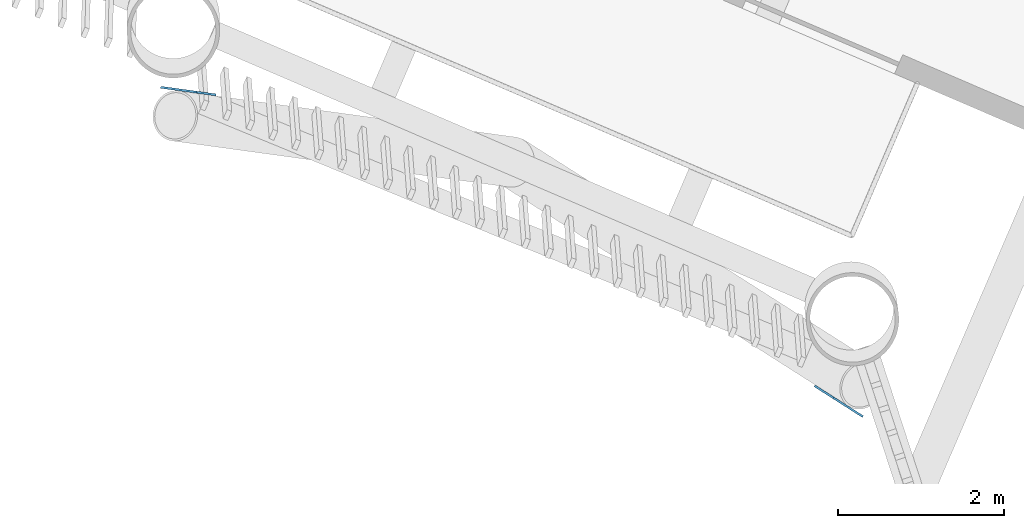
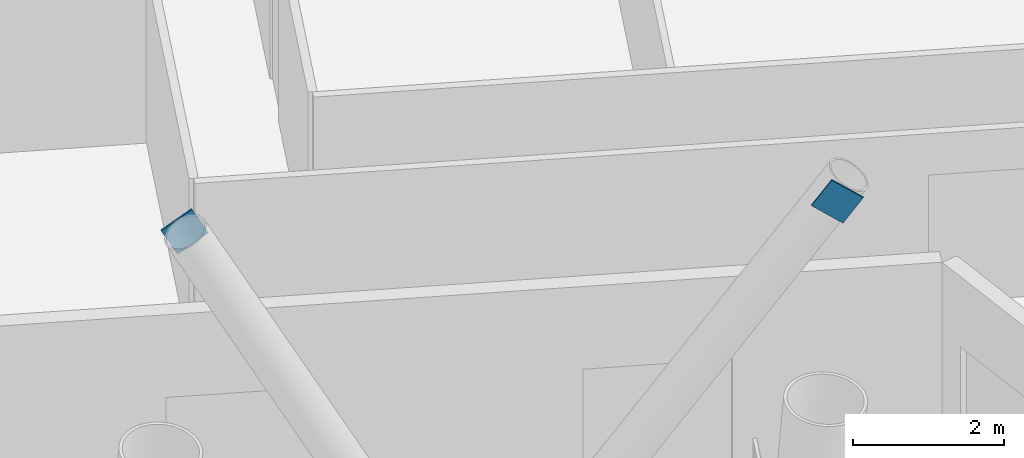
# One storey, part 12 of 22: 2 discrete accessories.
"""IFC4 building model written with IfcOpenShell, lengths in metres."""

from ifc_helpers import new_model, si_unit, direction, frame, origin, origin_2d, place, context, subcontext, project, spatial, rectangle, extrude, material, material_profile, profile_set, type_object, element, save


model = new_model("IFC4")

# Units and contexts
model_context = context("Model", 3, precision=1e-05, world=origin(), true_north=direction((0.0, 1.0)))
body_context = subcontext(model_context, "Body", "Model", "MODEL_VIEW")
ifc_project = project(units=[si_unit("LENGTHUNIT", "METRE"), si_unit("AREAUNIT", "SQUARE_METRE"), si_unit("VOLUMEUNIT", "CUBIC_METRE"), si_unit("PLANEANGLEUNIT", "RADIAN"), si_unit("MASSUNIT", "GRAM", prefix="KILO")], contexts=[model_context])

# Site, building, storey
site_placement = place(None, origin())
site = spatial("IfcSite", under=ifc_project, at=site_placement, CompositionType="ELEMENT")
building_placement = place(site_placement, origin())
building = spatial("IfcBuilding", under=site, at=building_placement, Name="Tarsis Ring Headquarters", CompositionType="ELEMENT")
storey_placement = place(building_placement, frame((0.0, 0.0, 186.60009765625)))
storey = spatial("IfcBuildingStorey", under=building, at=storey_placement, Name="L43", CompositionType="ELEMENT", Elevation=186.60009765625)

# Discrete accessories
ifc_material = material(Name="Structural steel S355", Category="steel")
ifc_material_profile = material_profile(ifc_material, rectangle(XDim=0.02490234375, YDim=0.5, at=origin_2d()), Name="PL 25x500")
ifc_profile_set = profile_set([ifc_material_profile], Name="Structural steel S355")
discrete_accessory_type = type_object("IfcDiscreteAccessoryType", Name="Gusset plate Exo brace 25", PredefinedType="BRACKET", material=ifc_profile_set)
discrete_accessory_1_placement = place(storey_placement, frame((-28.8427734375, -4.927001953125, 7.7998046875), z_axis=(-0.456010874854, 0.290499433125, -0.841227770208), x_axis=(-0.537284434554, -0.843401112393, 0.0)))
element("IfcDiscreteAccessory", 1, at=discrete_accessory_1_placement, inside=storey, type_object=discrete_accessory_type, Name="Gusset plate GP5", PredefinedType="BRACKET", context=body_context, shape_type="SweptSolid", body=[
    extrude(rectangle(XDim=0.02490234375, YDim=0.5, at=origin_2d()), origin(), (0.0, 0.0, 1.0), 0.5),
])
discrete_accessory_2_placement = place(storey_placement, frame((-36.917724609375, -1.0966796875, 7.7998046875), z_axis=(0.4610982521, -0.063498699971, -0.885074187293), x_axis=(0.136424326632, 0.990650494929, 0.0)))
element("IfcDiscreteAccessory", 2, at=discrete_accessory_2_placement, inside=storey, type_object=discrete_accessory_type, Name="Gusset plate GP5", PredefinedType="BRACKET", context=body_context, shape_type="SweptSolid", body=[
    extrude(rectangle(XDim=0.02490234375, YDim=0.5, at=origin_2d()), origin(), (0.0, 0.0, 1.0), 0.499755859375),
])

save(model, "model.ifc")
